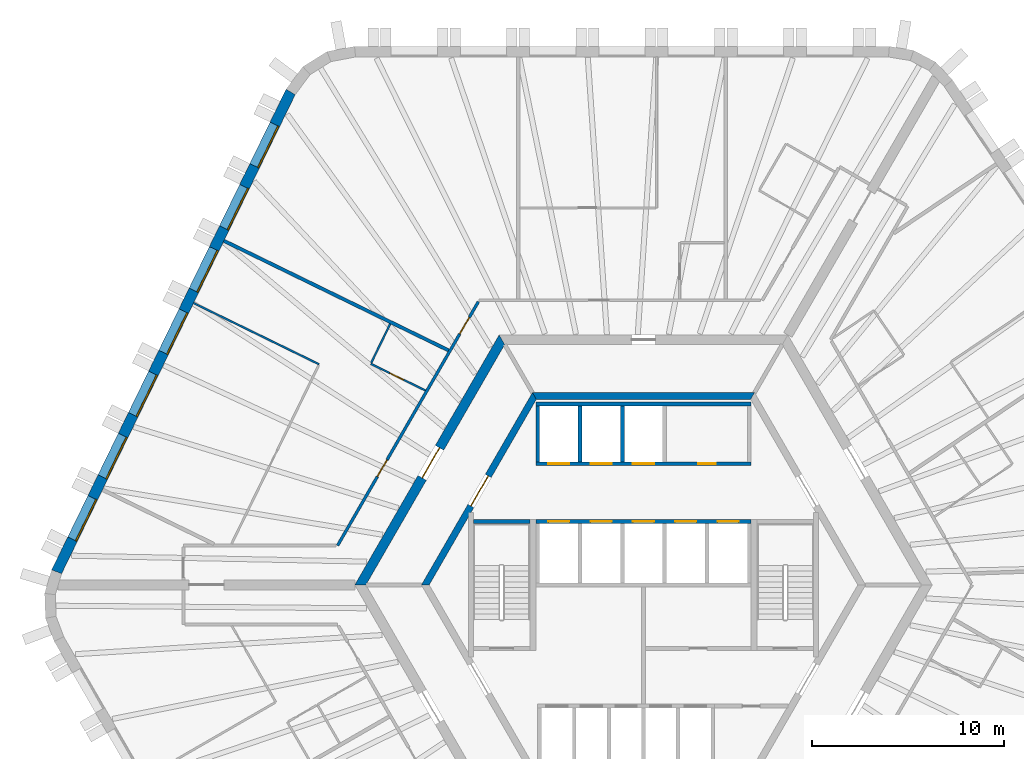
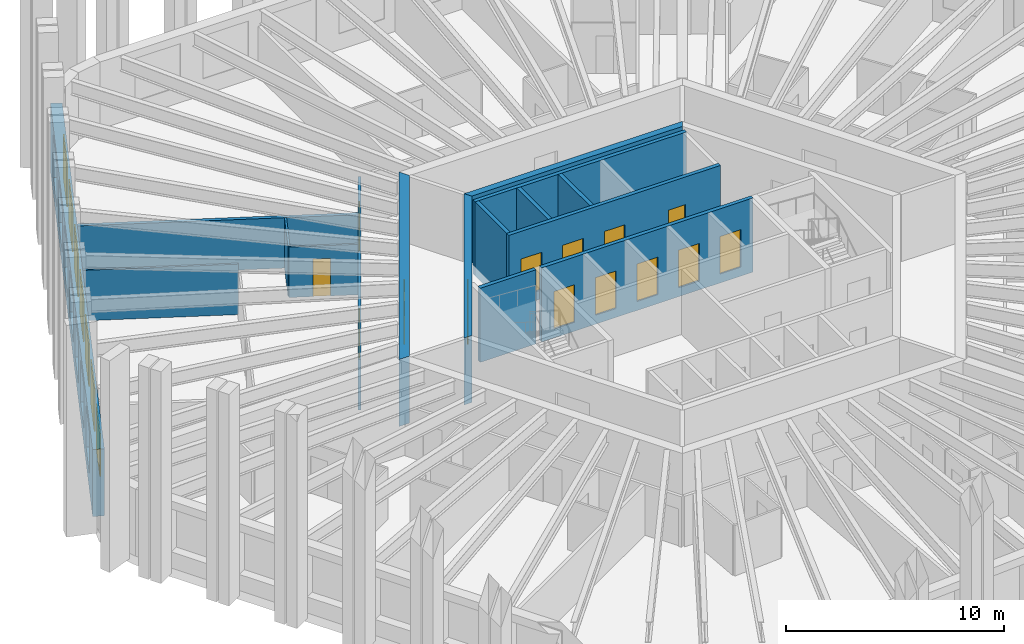
# One storey, part 7 of 10: 16 walls, 14 doors, 7 windows, 21 openings.
"""IFC4 building model written with IfcOpenShell, lengths in metres."""

from ifc_helpers import new_model, si_unit, direction, frame, frame_2d, origin, place, context, subcontext, project, spatial, polyline, rectangle, outline, extrude, material, layer, layer_set, type_object, element, fill, save


model = new_model("IFC4")

# Units and contexts
model_context = context("Model", 3, precision=1e-05, world=origin(), true_north=direction((0.0, 1.0)))
body_context = subcontext(model_context, "Body", "Model", "MODEL_VIEW")
ifc_project = project(units=[si_unit("LENGTHUNIT", "METRE"), si_unit("AREAUNIT", "SQUARE_METRE"), si_unit("VOLUMEUNIT", "CUBIC_METRE"), si_unit("PLANEANGLEUNIT", "RADIAN"), si_unit("MASSUNIT", "GRAM", prefix="KILO")], contexts=[model_context])

# Site, building, storey
site_placement = place(None, origin())
site = spatial("IfcSite", under=ifc_project, at=site_placement, CompositionType="ELEMENT")
building_placement = place(site_placement, origin())
building = spatial("IfcBuilding", under=site, at=building_placement, Name="Tarnside Tower", CompositionType="ELEMENT")
storey_placement = place(building_placement, frame((0.0, 0.0, 152.699951171875)))
storey = spatial("IfcBuildingStorey", under=building, at=storey_placement, Name="L35", CompositionType="ELEMENT", Elevation=152.699951171875)

# Wall, opening, door
ifc_material_1 = material(Name="Gypsum board partition on steel studs", Category="steel")
ifc_layer_1 = layer(ifc_material_1, 0.10009765625)
ifc_layer_set_1 = layer_set([ifc_layer_1], Name="Bathroom wall 100")
wall_type_1 = type_object("IfcWallType", Name="Bathroom wall 100", PredefinedType="PARTITIONING", material=ifc_layer_set_1)
wall_1_placement = place(storey_placement, frame((-11.338134765625, 10.111572265625, 0.0), z_axis=(0.0, 0.0, 1.0), x_axis=(-0.898781792608, 0.438396269688, 0.0)))
wall_1 = element("IfcWall", 1, at=wall_1_placement, inside=storey, type_object=wall_type_1, Name="Bathroom wall 11061", PredefinedType="PARTITIONING", context=body_context, shape_type="SweptSolid", body=[
    extrude(rectangle(XDim=3.164306640625, YDim=0.10009765625, at=frame_2d((1.58203125, 0.0))), origin(), (0.0, 0.0, 1.0), 2.823486328125),
])
opening_1_placement = place(wall_1_placement, frame((1.26416015625, 0.0, 0.0)))
opening_1 = element("IfcOpeningElement", 2, at=opening_1_placement, cuts=wall_1, Name="Opening D-B1", PredefinedType="OPENING", context=body_context, shape_type="SweptSolid", body=[
    extrude(rectangle(XDim=0.800048828125, YDim=2.10009765625, at=frame_2d((0.39990234375, 1.050048828125))), frame((0.0, 0.06005859375, 0.0), z_axis=(0.0, -1.0, 0.0), x_axis=(1.0, 0.0, 0.0)), (0.0, 0.0, 1.0), 0.1201171875),
])
ifc_material_2 = material(Name="Timber door leaf", Category="wood")
door_type_1 = type_object("IfcDoorType", Name="Bathroom door 800", OperationType="NOTDEFINED", PredefinedType="DOOR", material=ifc_material_2)
door_1_placement = place(opening_1_placement, origin())
door_1 = element("IfcDoor", 3, at=door_1_placement, inside=storey, type_object=door_type_1, Name="Bathroom door 11008", OperationType="SINGLE_SWING_LEFT", OverallHeight=2.10009765625, OverallWidth=0.800048828125, PredefinedType="DOOR", context=body_context, shape_type="SweptSolid", body=[
    extrude(rectangle(XDim=0.800048828125, YDim=2.10009765625, at=frame_2d((0.39990234375, 1.050048828125))), frame((0.0, 0.02490234375, 0.0), z_axis=(0.0, -1.0, 0.0), x_axis=(1.0, 0.0, 0.0)), (0.0, 0.0, 1.0), 0.050048828125),
])
fill(opening_1, door_1)

# Wall
wall_2_placement = place(storey_placement, frame((-14.160400390625, 11.543701171875, 0.0), z_axis=(0.0, 0.0, 1.0), x_axis=(0.438376807268, 0.898791285477, 0.0)))
element("IfcWall", 4, at=wall_2_placement, inside=storey, type_object=wall_type_1, Name="Bathroom wall 11062", PredefinedType="PARTITIONING", context=body_context, shape_type="SweptSolid", body=[
    extrude(rectangle(XDim=2.260009765625, YDim=0.10009765625, at=frame_2d((1.1298828125, 0.0))), origin(), (0.0, 0.0, 1.0), 2.823486328125),
])

# Wall, opening, door
ifc_material_3 = material(Name="Concrete C50/60", Category="concrete")
ifc_layer_2 = layer(ifc_material_3, 0.35009765625)
ifc_layer_set_2 = layer_set([ifc_layer_2], Name="Core block wall 350 C50/60")
wall_type_2 = type_object("IfcWallType", Name="Core block wall 350 C50/60", PredefinedType="SHEAR", material=ifc_layer_set_2)
wall_3_placement = place(storey_placement, frame((-5.672607421875, 9.824951171875, 0.0), z_axis=(0.0, 0.0, 1.0), x_axis=(-0.499995046907, -0.866028263435, 0.0)))
wall_3 = element("IfcWall", 5, at=wall_3_placement, inside=storey, type_object=wall_type_2, Name="L35 core block wall face 2", PredefinedType="SHEAR", context=body_context, shape_type="SweptSolid", body=[
    extrude(outline(polyline([(-0.10107421875, -0.175048828125), (11.44580078125, -0.175048828125), (11.24365234375, 0.175048828125), (0.10107421875, 0.175048828125), (-0.10107421875, -0.175048828125)])), origin(), (0.0, 0.0, 1.0), 3.75),
])
opening_2_placement = place(wall_3_placement, frame((4.80126953125, 0.0, 0.0)))
opening_2 = element("IfcOpeningElement", 6, at=opening_2_placement, cuts=wall_3, Name="Opening CD-LOB", PredefinedType="OPENING", context=body_context, shape_type="SweptSolid", body=[
    extrude(rectangle(XDim=1.800048828125, YDim=2.39990234375, at=frame_2d((0.89990234375, 1.199951171875))), frame((0.0, 0.18505859375, 0.0), z_axis=(0.0, -1.0, 0.0), x_axis=(1.0, 0.0, 0.0)), (0.0, 0.0, 1.0), 0.3701171875),
])
ifc_material_4 = material(Name="Steel fire door", Category="steel")
door_type_2 = type_object("IfcDoorType", Name="Lobby double door FD30S 1800x2400", OperationType="NOTDEFINED", PredefinedType="DOOR", material=ifc_material_4)
door_2_placement = place(opening_2_placement, origin())
door_2 = element("IfcDoor", 7, at=door_2_placement, inside=storey, type_object=door_type_2, Name="L35 lobby block door P1", OperationType="DOUBLE_DOOR_SINGLE_SWING", OverallHeight=2.39990234375, OverallWidth=1.800048828125, PredefinedType="DOOR", context=body_context, shape_type="SweptSolid", body=[
    extrude(rectangle(XDim=1.800048828125, YDim=2.39990234375, at=frame_2d((0.89990234375, 1.199951171875))), frame((0.0, 0.02490234375, 0.0), z_axis=(0.0, -1.0, 0.0), x_axis=(1.0, 0.0, 0.0)), (0.0, 0.0, 1.0), 0.050048828125),
])
fill(opening_2, door_2)

# Wall
wall_4_placement = place(storey_placement, frame((5.672607421875, 9.824951171875, 0.0), z_axis=(0.0, 0.0, 1.0), x_axis=(-1.0, 0.0, 0.0)))
element("IfcWall", 8, at=wall_4_placement, inside=storey, type_object=wall_type_2, Name="L35 core block wall face 1", PredefinedType="SHEAR", context=body_context, shape_type="SweptSolid", body=[
    extrude(outline(polyline([(-0.10107421875, -0.175048828125), (11.4462890625, -0.175048828125), (11.244140625, 0.175048828125), (0.10107421875, 0.175048828125), (-0.10107421875, -0.175048828125)])), origin(), (0.0, 0.0, 1.0), 3.75),
])

# Wall, opening, door
ifc_material_5 = material(Name="Concrete C70/85", Category="concrete")
ifc_layer_3 = layer(ifc_material_5, 0.5)
ifc_layer_set_3 = layer_set([ifc_layer_3], Name="Core wall Z2 500 C70/85")
wall_type_3 = type_object("IfcWallType", Name="Core wall Z2 500 C70/85", PredefinedType="SHEAR", material=ifc_layer_set_3)
wall_5_placement = place(storey_placement, frame((-7.361083984375, 12.75, 0.0), z_axis=(0.0, 0.0, 1.0), x_axis=(-0.50000571537, -0.866022103989, 0.0)))
wall_5 = element("IfcWall", 9, at=wall_5_placement, inside=storey, type_object=wall_type_3, Name="L35 core wall face 2", PredefinedType="SHEAR", context=body_context, shape_type="SweptSolid", body=[
    extrude(outline(polyline([(-0.144287109375, -0.25), (14.86669921875, -0.25), (14.578125, 0.25), (0.144287109375, 0.25), (-0.144287109375, -0.25)])), origin(), (0.0, 0.0, 1.0), 3.75),
])
opening_3_placement = place(wall_5_placement, frame((6.489990234375, 0.0, 0.0)))
opening_3 = element("IfcOpeningElement", 10, at=opening_3_placement, cuts=wall_5, Name="Opening CD-LOB", PredefinedType="OPENING", context=body_context, shape_type="SweptSolid", body=[
    extrude(rectangle(XDim=1.800048828125, YDim=2.39990234375, at=frame_2d((0.89990234375, 1.199951171875))), frame((0.0, 0.260009765625, 0.0), z_axis=(0.0, -1.0, 0.0), x_axis=(1.0, 0.0, 0.0)), (0.0, 0.0, 1.0), 0.52001953125),
])
door_3_placement = place(opening_3_placement, origin())
door_3 = element("IfcDoor", 11, at=door_3_placement, inside=storey, type_object=door_type_2, Name="L35 core door P1", OperationType="DOUBLE_DOOR_SINGLE_SWING", OverallHeight=2.39990234375, OverallWidth=1.800048828125, PredefinedType="DOOR", context=body_context, shape_type="SweptSolid", body=[
    extrude(rectangle(XDim=1.800048828125, YDim=2.39990234375, at=frame_2d((0.89990234375, 1.199951171875))), frame((0.0, 0.02490234375, 0.0), z_axis=(0.0, -1.0, 0.0), x_axis=(1.0, 0.0, 0.0)), (0.0, 0.0, 1.0), 0.050048828125),
])
fill(opening_3, door_3)

# Wall, openings, doors
ifc_layer_4 = layer(ifc_material_1, 0.14990234375)
ifc_layer_set_4 = layer_set([ifc_layer_4], Name="Corridor wall 150 EI 60")
wall_type_4 = type_object("IfcWallType", Name="Corridor wall 150 EI 60", PredefinedType="PARTITIONING", material=ifc_layer_set_4)
wall_6_placement = place(storey_placement, frame((-8.588134765625, 14.72509765625, 0.0), z_axis=(0.0, 0.0, 1.0), x_axis=(-0.499996322767, -0.866027526826, 0.0)))
wall_6 = element("IfcWall", 12, at=wall_6_placement, inside=storey, type_object=wall_type_4, Name="Corridor wall 11009", PredefinedType="PARTITIONING", context=body_context, shape_type="SweptSolid", body=[
    extrude(rectangle(XDim=14.6357421875, YDim=0.14990234375, at=frame_2d((7.31787109375, 0.0))), origin(), (0.0, 0.0, 1.0), 2.823486328125),
])
opening_4_placement = place(wall_6_placement, frame((0.936279296875, 0.0, 0.0)))
opening_4 = element("IfcOpeningElement", 13, at=opening_4_placement, cuts=wall_6, Name="Opening D-E1", PredefinedType="OPENING", context=body_context, shape_type="SweptSolid", body=[
    extrude(rectangle(XDim=1.0, YDim=2.10009765625, at=frame_2d((0.5, 1.050048828125))), frame((0.0, 0.0849609375, 0.0), z_axis=(0.0, -1.0, 0.0), x_axis=(1.0, 0.0, 0.0)), (0.0, 0.0, 1.0), 0.169921875),
])
opening_5_placement = place(wall_6_placement, frame((9.49462890625, 0.0, 0.0)))
opening_5 = element("IfcOpeningElement", 14, at=opening_5_placement, cuts=wall_6, Name="Opening D-E1", PredefinedType="OPENING", context=body_context, shape_type="SweptSolid", body=[
    extrude(rectangle(XDim=1.0, YDim=2.10009765625, at=frame_2d((0.5, 1.050048828125))), frame((0.0, 0.0849609375, 0.0), z_axis=(0.0, -1.0, 0.0), x_axis=(1.0, 0.0, 0.0)), (0.0, 0.0, 1.0), 0.169921875),
])
door_type_3 = type_object("IfcDoorType", Name="Unit entrance door 1000 FD30S", OperationType="NOTDEFINED", PredefinedType="DOOR", material=ifc_material_2)
door_4_placement = place(opening_4_placement, origin())
door_4 = element("IfcDoor", 15, at=door_4_placement, inside=storey, type_object=door_type_3, Name="Unit door 11006", OperationType="SINGLE_SWING_RIGHT", OverallHeight=2.10009765625, OverallWidth=1.0, PredefinedType="DOOR", context=body_context, shape_type="SweptSolid", body=[
    extrude(rectangle(XDim=1.0, YDim=2.10009765625, at=frame_2d((0.5, 1.050048828125))), frame((0.0, 0.02490234375, 0.0), z_axis=(0.0, -1.0, 0.0), x_axis=(1.0, 0.0, 0.0)), (0.0, 0.0, 1.0), 0.050048828125),
])
fill(opening_4, door_4)
door_5_placement = place(opening_5_placement, origin())
door_5 = element("IfcDoor", 16, at=door_5_placement, inside=storey, type_object=door_type_3, Name="Unit door 11007", OperationType="SINGLE_SWING_RIGHT", OverallHeight=2.10009765625, OverallWidth=1.0, PredefinedType="DOOR", context=body_context, shape_type="SweptSolid", body=[
    extrude(rectangle(XDim=1.0, YDim=2.10009765625, at=frame_2d((0.5, 1.050048828125))), frame((0.0, 0.02490234375, 0.0), z_axis=(0.0, -1.0, 0.0), x_axis=(1.0, 0.0, 0.0)), (0.0, 0.0, 1.0), 0.050048828125),
])
fill(opening_5, door_5)

# Wall
ifc_layer_5 = layer(ifc_material_1, 0.179931640625)
ifc_layer_set_5 = layer_set([ifc_layer_5], Name="Demising wall 180 EI 60")
wall_type_5 = type_object("IfcWallType", Name="Demising wall 180 EI 60", PredefinedType="PARTITIONING", material=ifc_layer_set_5)
wall_7_placement = place(storey_placement, frame((-21.814697265625, 17.8916015625, 0.0), z_axis=(0.0, 0.0, 1.0), x_axis=(0.898798778742, -0.43836144371, 0.0)))
element("IfcWall", 17, at=wall_7_placement, inside=storey, type_object=wall_type_5, Name="Demising wall 11059", PredefinedType="PARTITIONING", context=body_context, shape_type="SweptSolid", body=[
    extrude(rectangle(XDim=12.994384765625, YDim=0.179931640625, at=frame_2d((6.4970703125, 0.0))), origin(), (0.0, 0.0, 1.0), 2.823486328125),
])

# Wall, openings, doors
ifc_material_6 = material(Name="Concrete C40/50", Category="concrete")
ifc_layer_6 = layer(ifc_material_6, 0.199951171875)
ifc_layer_set_6 = layer_set([ifc_layer_6], Name="Lift shaft wall 200 C40/50")
wall_type_6 = type_object("IfcWallType", Name="Lift shaft wall 200 C40/50", PredefinedType="SHEAR", material=ifc_layer_set_6)
wall_8_placement = place(storey_placement, frame((-5.60009765625, 6.300048828125, -0.5), z_axis=(0.0, 0.0, 1.0), x_axis=(1.0, 0.0, 0.0)))
wall_8 = element("IfcWall", 18, at=wall_8_placement, inside=storey, type_object=wall_type_6, Name="L35 lift shaft front wall R1", PredefinedType="SHEAR", context=body_context, shape_type="SweptSolid", body=[
    extrude(rectangle(XDim=11.2001953125, YDim=0.199951171875, at=frame_2d((5.60009765625, 0.0))), origin(), (0.0, 0.0, 1.0), 4.150146484375),
])
opening_6_placement = place(wall_8_placement, frame((8.449951171875, 0.0, 0.5)))
opening_6 = element("IfcOpeningElement", 19, at=opening_6_placement, cuts=wall_8, Name="Opening CD-room", PredefinedType="OPENING", context=body_context, shape_type="SweptSolid", body=[
    extrude(rectangle(XDim=0.89990234375, YDim=2.10009765625, at=frame_2d((0.449951171875, 1.050048828125))), frame((0.0, 0.10986328125, 0.0), z_axis=(0.0, -1.0, 0.0), x_axis=(1.0, 0.0, 0.0)), (0.0, 0.0, 1.0), 0.219970703125),
])
opening_7_placement = place(wall_8_placement, frame((0.64990234375, 0.0, 0.5)))
opening_7 = element("IfcOpeningElement", 20, at=opening_7_placement, cuts=wall_8, Name="Opening LD", PredefinedType="OPENING", context=body_context, shape_type="SweptSolid", body=[
    extrude(rectangle(XDim=1.10009765625, YDim=2.10009765625, at=frame_2d((0.550048828125, 1.050048828125))), frame((0.0, 0.10986328125, 0.0), z_axis=(0.0, -1.0, 0.0), x_axis=(1.0, 0.0, 0.0)), (0.0, 0.0, 1.0), 0.219970703125),
])
opening_8_placement = place(wall_8_placement, frame((2.85009765625, 0.0, 0.5)))
opening_8 = element("IfcOpeningElement", 21, at=opening_8_placement, cuts=wall_8, Name="Opening LD", PredefinedType="OPENING", context=body_context, shape_type="SweptSolid", body=[
    extrude(rectangle(XDim=1.10009765625, YDim=2.10009765625, at=frame_2d((0.550048828125, 1.050048828125))), frame((0.0, 0.10986328125, 0.0), z_axis=(0.0, -1.0, 0.0), x_axis=(1.0, 0.0, 0.0)), (0.0, 0.0, 1.0), 0.219970703125),
])
opening_9_placement = place(wall_8_placement, frame((5.050048828125, 0.0, 0.5)))
opening_9 = element("IfcOpeningElement", 22, at=opening_9_placement, cuts=wall_8, Name="Opening LD", PredefinedType="OPENING", context=body_context, shape_type="SweptSolid", body=[
    extrude(rectangle(XDim=1.10009765625, YDim=2.10009765625, at=frame_2d((0.550048828125, 1.050048828125))), frame((0.0, 0.10986328125, 0.0), z_axis=(0.0, -1.0, 0.0), x_axis=(1.0, 0.0, 0.0)), (0.0, 0.0, 1.0), 0.219970703125),
])
ifc_material_7 = material(Name="Stainless steel", Category="steel")
door_type_4 = type_object("IfcDoorType", Name="Lift landing door 1100x2100", OperationType="NOTDEFINED", PredefinedType="DOOR", material=ifc_material_7)
door_6_placement = place(opening_7_placement, origin())
door_6 = element("IfcDoor", 23, at=door_6_placement, inside=storey, type_object=door_type_4, Name="Mid-rise lift 1 landing door L35", OperationType="SLIDING_TO_LEFT", OverallHeight=2.10009765625, OverallWidth=1.10009765625, PredefinedType="DOOR", context=body_context, shape_type="SweptSolid", body=[
    extrude(rectangle(XDim=1.10009765625, YDim=2.10009765625, at=frame_2d((0.550048828125, 1.050048828125))), frame((0.0, 0.02490234375, 0.0), z_axis=(0.0, -1.0, 0.0), x_axis=(1.0, 0.0, 0.0)), (0.0, 0.0, 1.0), 0.050048828125),
])
fill(opening_7, door_6)
door_7_placement = place(opening_8_placement, origin())
door_7 = element("IfcDoor", 24, at=door_7_placement, inside=storey, type_object=door_type_4, Name="Mid-rise lift 2 landing door L35", OperationType="SLIDING_TO_LEFT", OverallHeight=2.10009765625, OverallWidth=1.10009765625, PredefinedType="DOOR", context=body_context, shape_type="SweptSolid", body=[
    extrude(rectangle(XDim=1.10009765625, YDim=2.10009765625, at=frame_2d((0.550048828125, 1.050048828125))), frame((0.0, 0.02490234375, 0.0), z_axis=(0.0, -1.0, 0.0), x_axis=(1.0, 0.0, 0.0)), (0.0, 0.0, 1.0), 0.050048828125),
])
fill(opening_8, door_7)
door_8_placement = place(opening_9_placement, origin())
door_8 = element("IfcDoor", 25, at=door_8_placement, inside=storey, type_object=door_type_4, Name="Mid-rise lift 3 landing door L35", OperationType="SLIDING_TO_LEFT", OverallHeight=2.10009765625, OverallWidth=1.10009765625, PredefinedType="DOOR", context=body_context, shape_type="SweptSolid", body=[
    extrude(rectangle(XDim=1.10009765625, YDim=2.10009765625, at=frame_2d((0.550048828125, 1.050048828125))), frame((0.0, 0.02490234375, 0.0), z_axis=(0.0, -1.0, 0.0), x_axis=(1.0, 0.0, 0.0)), (0.0, 0.0, 1.0), 0.050048828125),
])
fill(opening_9, door_8)
door_type_5 = type_object("IfcDoorType", Name="Room door FD60 900x2100", OperationType="NOTDEFINED", PredefinedType="DOOR", material=ifc_material_4)
door_9_placement = place(opening_6_placement, origin())
door_9 = element("IfcDoor", 26, at=door_9_placement, inside=storey, type_object=door_type_5, Name="L35 core room door FC1", OperationType="SINGLE_SWING_LEFT", OverallHeight=2.10009765625, OverallWidth=0.89990234375, PredefinedType="DOOR", context=body_context, shape_type="SweptSolid", body=[
    extrude(rectangle(XDim=0.89990234375, YDim=2.10009765625, at=frame_2d((0.449951171875, 1.050048828125))), frame((0.0, 0.02490234375, 0.0), z_axis=(0.0, -1.0, 0.0), x_axis=(1.0, 0.0, 0.0)), (0.0, 0.0, 1.0), 0.050048828125),
])
fill(opening_6, door_9)

# Walls
wall_9_placement = place(storey_placement, frame((-5.60009765625, 9.39990234375, -0.5), z_axis=(0.0, 0.0, 1.0), x_axis=(1.0, 0.0, 0.0)))
element("IfcWall", 27, at=wall_9_placement, inside=storey, type_object=wall_type_6, Name="L35 lift shaft back wall R1", PredefinedType="SHEAR", context=body_context, shape_type="SweptSolid", body=[
    extrude(rectangle(XDim=11.2001953125, YDim=0.199951171875, at=frame_2d((5.60009765625, 0.0))), origin(), (0.0, 0.0, 1.0), 4.150146484375),
])
for number, where, z_axis, x_axis, name in (
    (28, (-5.5, 6.39990234375, -0.5), (0.0, 0.0, 1.0), (0.0, 1.0, 0.0), "L35 lift shaft partition R11"),
    (29, (-3.300048828125, 6.39990234375, -0.5), (0.0, 0.0, 1.0), (0.0, 1.0, 0.0), "L35 lift shaft partition R12"),
    (30, (-1.10009765625, 6.39990234375, -0.5), (0.0, 0.0, 1.0), (0.0, 1.0, 0.0), "L35 lift shaft partition R13"),
):
    element("IfcWall", number, at=place(storey_placement, frame(where, z_axis=z_axis, x_axis=x_axis)), inside=storey, type_object=wall_type_6, Name=name, PredefinedType="SHEAR", context=body_context, shape_type="SweptSolid", body=[
        extrude(rectangle(XDim=2.900146484375, YDim=0.199951171875, at=frame_2d((1.4501953125, 0.0))), origin(), (0.0, 0.0, 1.0), 4.150146484375),
    ])

# Wall, openings, doors
wall_10_placement = place(storey_placement, frame((-5.60009765625, 3.300048828125, -0.5), z_axis=(0.0, 0.0, 1.0), x_axis=(1.0, 0.0, 0.0)))
wall_10 = element("IfcWall", 31, at=wall_10_placement, inside=storey, type_object=wall_type_6, Name="L35 lift shaft front wall R2", PredefinedType="SHEAR", context=body_context, shape_type="SweptSolid", body=[
    extrude(rectangle(XDim=11.2001953125, YDim=0.199951171875, at=frame_2d((5.60009765625, 0.0))), origin(), (0.0, 0.0, 1.0), 4.150146484375),
])
opening_10_placement = place(wall_10_placement, frame((0.64990234375, 0.0, 0.5)))
opening_10 = element("IfcOpeningElement", 32, at=opening_10_placement, cuts=wall_10, Name="Opening LD", PredefinedType="OPENING", context=body_context, shape_type="SweptSolid", body=[
    extrude(rectangle(XDim=1.10009765625, YDim=2.10009765625, at=frame_2d((0.550048828125, 1.050048828125))), frame((0.0, 0.10986328125, 0.0), z_axis=(0.0, -1.0, 0.0), x_axis=(1.0, 0.0, 0.0)), (0.0, 0.0, 1.0), 0.219970703125),
])
opening_11_placement = place(wall_10_placement, frame((2.85009765625, 0.0, 0.5)))
opening_11 = element("IfcOpeningElement", 33, at=opening_11_placement, cuts=wall_10, Name="Opening LD", PredefinedType="OPENING", context=body_context, shape_type="SweptSolid", body=[
    extrude(rectangle(XDim=1.10009765625, YDim=2.10009765625, at=frame_2d((0.550048828125, 1.050048828125))), frame((0.0, 0.10986328125, 0.0), z_axis=(0.0, -1.0, 0.0), x_axis=(1.0, 0.0, 0.0)), (0.0, 0.0, 1.0), 0.219970703125),
])
opening_12_placement = place(wall_10_placement, frame((5.050048828125, 0.0, 0.5)))
opening_12 = element("IfcOpeningElement", 34, at=opening_12_placement, cuts=wall_10, Name="Opening LD", PredefinedType="OPENING", context=body_context, shape_type="SweptSolid", body=[
    extrude(rectangle(XDim=1.10009765625, YDim=2.10009765625, at=frame_2d((0.550048828125, 1.050048828125))), frame((0.0, 0.10986328125, 0.0), z_axis=(0.0, -1.0, 0.0), x_axis=(1.0, 0.0, 0.0)), (0.0, 0.0, 1.0), 0.219970703125),
])
opening_13_placement = place(wall_10_placement, frame((7.25, 0.0, 0.5)))
opening_13 = element("IfcOpeningElement", 35, at=opening_13_placement, cuts=wall_10, Name="Opening LD", PredefinedType="OPENING", context=body_context, shape_type="SweptSolid", body=[
    extrude(rectangle(XDim=1.10009765625, YDim=2.10009765625, at=frame_2d((0.550048828125, 1.050048828125))), frame((0.0, 0.10986328125, 0.0), z_axis=(0.0, -1.0, 0.0), x_axis=(1.0, 0.0, 0.0)), (0.0, 0.0, 1.0), 0.219970703125),
])
opening_14_placement = place(wall_10_placement, frame((9.449951171875, 0.0, 0.5)))
opening_14 = element("IfcOpeningElement", 36, at=opening_14_placement, cuts=wall_10, Name="Opening LD", PredefinedType="OPENING", context=body_context, shape_type="SweptSolid", body=[
    extrude(rectangle(XDim=1.10009765625, YDim=2.10009765625, at=frame_2d((0.550048828125, 1.050048828125))), frame((0.0, 0.10986328125, 0.0), z_axis=(0.0, -1.0, 0.0), x_axis=(1.0, 0.0, 0.0)), (0.0, 0.0, 1.0), 0.219970703125),
])
door_10_placement = place(opening_10_placement, origin())
door_10 = element("IfcDoor", 37, at=door_10_placement, inside=storey, type_object=door_type_4, Name="Mid-rise lift 4 landing door L35", OperationType="SLIDING_TO_LEFT", OverallHeight=2.10009765625, OverallWidth=1.10009765625, PredefinedType="DOOR", context=body_context, shape_type="SweptSolid", body=[
    extrude(rectangle(XDim=1.10009765625, YDim=2.10009765625, at=frame_2d((0.550048828125, 1.050048828125))), frame((0.0, 0.02490234375, 0.0), z_axis=(0.0, -1.0, 0.0), x_axis=(1.0, 0.0, 0.0)), (0.0, 0.0, 1.0), 0.050048828125),
])
fill(opening_10, door_10)
door_11_placement = place(opening_11_placement, origin())
door_11 = element("IfcDoor", 38, at=door_11_placement, inside=storey, type_object=door_type_4, Name="Mid-rise lift 5 landing door L35", OperationType="SLIDING_TO_LEFT", OverallHeight=2.10009765625, OverallWidth=1.10009765625, PredefinedType="DOOR", context=body_context, shape_type="SweptSolid", body=[
    extrude(rectangle(XDim=1.10009765625, YDim=2.10009765625, at=frame_2d((0.550048828125, 1.050048828125))), frame((0.0, 0.02490234375, 0.0), z_axis=(0.0, -1.0, 0.0), x_axis=(1.0, 0.0, 0.0)), (0.0, 0.0, 1.0), 0.050048828125),
])
fill(opening_11, door_11)
door_12_placement = place(opening_12_placement, origin())
door_12 = element("IfcDoor", 39, at=door_12_placement, inside=storey, type_object=door_type_4, Name="Mid-rise lift 6 landing door L35", OperationType="SLIDING_TO_LEFT", OverallHeight=2.10009765625, OverallWidth=1.10009765625, PredefinedType="DOOR", context=body_context, shape_type="SweptSolid", body=[
    extrude(rectangle(XDim=1.10009765625, YDim=2.10009765625, at=frame_2d((0.550048828125, 1.050048828125))), frame((0.0, 0.02490234375, 0.0), z_axis=(0.0, -1.0, 0.0), x_axis=(1.0, 0.0, 0.0)), (0.0, 0.0, 1.0), 0.050048828125),
])
fill(opening_12, door_12)
door_13_placement = place(opening_13_placement, origin())
door_13 = element("IfcDoor", 40, at=door_13_placement, inside=storey, type_object=door_type_4, Name="High sky-lobby shuttle 1 landing door L35", OperationType="SLIDING_TO_LEFT", OverallHeight=2.10009765625, OverallWidth=1.10009765625, PredefinedType="DOOR", context=body_context, shape_type="SweptSolid", body=[
    extrude(rectangle(XDim=1.10009765625, YDim=2.10009765625, at=frame_2d((0.550048828125, 1.050048828125))), frame((0.0, 0.02490234375, 0.0), z_axis=(0.0, -1.0, 0.0), x_axis=(1.0, 0.0, 0.0)), (0.0, 0.0, 1.0), 0.050048828125),
])
fill(opening_13, door_13)
door_14_placement = place(opening_14_placement, origin())
door_14 = element("IfcDoor", 41, at=door_14_placement, inside=storey, type_object=door_type_4, Name="Express sky-lobby shuttle 2 landing door L35", OperationType="SLIDING_TO_LEFT", OverallHeight=2.10009765625, OverallWidth=1.10009765625, PredefinedType="DOOR", context=body_context, shape_type="SweptSolid", body=[
    extrude(rectangle(XDim=1.10009765625, YDim=2.10009765625, at=frame_2d((0.550048828125, 1.050048828125))), frame((0.0, 0.02490234375, 0.0), z_axis=(0.0, -1.0, 0.0), x_axis=(1.0, 0.0, 0.0)), (0.0, 0.0, 1.0), 0.050048828125),
])
fill(opening_14, door_14)

# Walls
wall_11_placement = place(storey_placement, frame((-8.85009765625, 3.300048828125, -0.5), z_axis=(0.0, 0.0, 1.0), x_axis=(1.0, 0.0, 0.0)))
element("IfcWall", 42, at=wall_11_placement, inside=storey, type_object=wall_type_6, Name="L35 stair 2 enclosure cap wall n", PredefinedType="SHEAR", context=body_context, shape_type="SweptSolid", body=[
    extrude(rectangle(XDim=2.9501953125, YDim=0.199951171875, at=frame_2d((1.47509765625, 0.0))), origin(), (0.0, 0.0, 1.0), 4.150146484375),
])
ifc_layer_7 = layer(ifc_material_1, 0.10009765625)
ifc_layer_set_7 = layer_set([ifc_layer_7], Name="Partition 100")
wall_type_7 = type_object("IfcWallType", Name="Partition 100", PredefinedType="PARTITIONING", material=ifc_layer_set_7)
wall_12_placement = place(storey_placement, frame((-23.392822265625, 14.656005859375, 0.0), z_axis=(0.0, 0.0, 1.0), x_axis=(0.898794291179, -0.43837064471, 0.0)))
element("IfcWall", 43, at=wall_12_placement, inside=storey, type_object=wall_type_7, Name="Partition wall 11063", PredefinedType="PARTITIONING", context=body_context, shape_type="SweptSolid", body=[
    extrude(rectangle(XDim=7.262451171875, YDim=0.10009765625, at=frame_2d((3.63134765625, 0.0))), origin(), (0.0, 0.0, 1.0), 2.823486328125),
])

# Wall, openings, windows
ifc_material_8 = material(Name="Facing brick", Category="masonry")
ifc_layer_8 = layer(ifc_material_8, 0.10205078125)
ifc_material_9 = material(Name="Concrete C60/75 precast", Category="concrete")
ifc_layer_9 = layer(ifc_material_9, 0.347900390625)
ifc_material_10 = material(Name="Mineral wool insulation")
ifc_layer_10 = layer(ifc_material_10, 0.10009765625)
ifc_layer_set_8 = layer_set([ifc_layer_8, ifc_layer_9, ifc_layer_10], Name="Tube wall 550 brick faced")
wall_type_8 = type_object("IfcWallType", Name="Tube wall 550 brick faced", PredefinedType="SOLIDWALL", material=ifc_layer_set_8)
wall_13_placement = place(storey_placement, frame((-18.344970703125, 25.6328125, 0.0), z_axis=(0.0, 0.0, 1.0), x_axis=(-0.43837181828, -0.898793718791, 0.0)))
wall_13 = element("IfcWall", 44, at=wall_13_placement, inside=storey, type_object=wall_type_8, Name="Tube wall L35 F2 flush 04", PredefinedType="SOLIDWALL", context=body_context, shape_type="SweptSolid", body=[
    extrude(outline(polyline([(-0.025634765625, -0.27490234375), (27.7802734375, -0.27490234375), (27.7353515625, 0.27490234375), (0.025634765625, 0.27490234375), (-0.025634765625, -0.27490234375)])), origin(), (0.0, 0.0, 1.0), 3.75),
])
opening_15_placement = place(wall_13_placement, frame((1.87890625, 0.0, 0.89990234375)))
opening_15 = element("IfcOpeningElement", 45, at=opening_15_placement, cuts=wall_13, Name="Opening WH", PredefinedType="OPENING", context=body_context, shape_type="SweptSolid", body=[
    extrude(rectangle(XDim=2.39990234375, YDim=2.39990234375, at=frame_2d((1.199951171875, 1.199951171875))), frame((0.0, 0.28515625, 0.0), z_axis=(0.0, -1.0, 0.0), x_axis=(1.0, 0.0, 0.0)), (0.0, 0.0, 1.0), 0.570068359375),
])
opening_16_placement = place(wall_13_placement, frame((5.47900390625, 0.0, 0.89990234375)))
opening_16 = element("IfcOpeningElement", 46, at=opening_16_placement, cuts=wall_13, Name="Opening WH", PredefinedType="OPENING", context=body_context, shape_type="SweptSolid", body=[
    extrude(rectangle(XDim=2.39990234375, YDim=2.39990234375, at=frame_2d((1.199951171875, 1.199951171875))), frame((0.0, 0.28515625, 0.0), z_axis=(0.0, -1.0, 0.0), x_axis=(1.0, 0.0, 0.0)), (0.0, 0.0, 1.0), 0.570068359375),
])
opening_17_placement = place(wall_13_placement, frame((9.078857421875, 0.0, 0.89990234375)))
opening_17 = element("IfcOpeningElement", 47, at=opening_17_placement, cuts=wall_13, Name="Opening WH", PredefinedType="OPENING", context=body_context, shape_type="SweptSolid", body=[
    extrude(rectangle(XDim=2.39990234375, YDim=2.39990234375, at=frame_2d((1.199951171875, 1.199951171875))), frame((0.0, 0.28515625, 0.0), z_axis=(0.0, -1.0, 0.0), x_axis=(1.0, 0.0, 0.0)), (0.0, 0.0, 1.0), 0.570068359375),
])
opening_18_placement = place(wall_13_placement, frame((12.678955078125, 0.0, 0.89990234375)))
opening_18 = element("IfcOpeningElement", 48, at=opening_18_placement, cuts=wall_13, Name="Opening WH", PredefinedType="OPENING", context=body_context, shape_type="SweptSolid", body=[
    extrude(rectangle(XDim=2.39990234375, YDim=2.39990234375, at=frame_2d((1.199951171875, 1.199951171875))), frame((0.0, 0.28515625, 0.0), z_axis=(0.0, -1.0, 0.0), x_axis=(1.0, 0.0, 0.0)), (0.0, 0.0, 1.0), 0.570068359375),
])
opening_19_placement = place(wall_13_placement, frame((16.27880859375, 0.0, 0.89990234375)))
opening_19 = element("IfcOpeningElement", 49, at=opening_19_placement, cuts=wall_13, Name="Opening WH", PredefinedType="OPENING", context=body_context, shape_type="SweptSolid", body=[
    extrude(rectangle(XDim=2.39990234375, YDim=2.39990234375, at=frame_2d((1.199951171875, 1.199951171875))), frame((0.0, 0.28515625, 0.0), z_axis=(0.0, -1.0, 0.0), x_axis=(1.0, 0.0, 0.0)), (0.0, 0.0, 1.0), 0.570068359375),
])
opening_20_placement = place(wall_13_placement, frame((19.87890625, 0.0, 0.89990234375)))
opening_20 = element("IfcOpeningElement", 50, at=opening_20_placement, cuts=wall_13, Name="Opening WH", PredefinedType="OPENING", context=body_context, shape_type="SweptSolid", body=[
    extrude(rectangle(XDim=2.39990234375, YDim=2.39990234375, at=frame_2d((1.199951171875, 1.199951171875))), frame((0.0, 0.28515625, 0.0), z_axis=(0.0, -1.0, 0.0), x_axis=(1.0, 0.0, 0.0)), (0.0, 0.0, 1.0), 0.570068359375),
])
opening_21_placement = place(wall_13_placement, frame((23.47900390625, 0.0, 0.89990234375)))
opening_21 = element("IfcOpeningElement", 51, at=opening_21_placement, cuts=wall_13, Name="Opening WH", PredefinedType="OPENING", context=body_context, shape_type="SweptSolid", body=[
    extrude(rectangle(XDim=2.39990234375, YDim=2.39990234375, at=frame_2d((1.199951171875, 1.199951171875))), frame((0.0, 0.28515625, 0.0), z_axis=(0.0, -1.0, 0.0), x_axis=(1.0, 0.0, 0.0)), (0.0, 0.0, 1.0), 0.570068359375),
])
ifc_material_11 = material(Name="Aluminium-framed double glazing", Category="aluminium")
window_type = type_object("IfcWindowType", Name="Hotel window 2400 x 2400", PartitioningType="DOUBLE_PANEL_VERTICAL", PredefinedType="WINDOW", material=ifc_material_11)
window_1_placement = place(opening_15_placement, frame((0.0, 0.205078125, 0.0)))
window_1 = element("IfcWindow", 52, at=window_1_placement, inside=storey, type_object=window_type, Name="E.WN.L35.F2.00", OverallHeight=2.39990234375, OverallWidth=2.39990234375, PartitioningType="DOUBLE_PANEL_VERTICAL", PredefinedType="WINDOW", context=body_context, shape_type="SweptSolid", body=[
    extrude(rectangle(XDim=2.39990234375, YDim=2.39990234375, at=frame_2d((1.199951171875, 1.199951171875))), frame((0.0, 0.030029296875, 0.0), z_axis=(0.0, -1.0, 0.0), x_axis=(1.0, 0.0, 0.0)), (0.0, 0.0, 1.0), 0.06005859375),
])
fill(opening_15, window_1)
window_2_placement = place(opening_16_placement, frame((0.0, 0.205078125, 0.0)))
window_2 = element("IfcWindow", 53, at=window_2_placement, inside=storey, type_object=window_type, Name="E.WN.L35.F2.01", OverallHeight=2.39990234375, OverallWidth=2.39990234375, PartitioningType="DOUBLE_PANEL_VERTICAL", PredefinedType="WINDOW", context=body_context, shape_type="SweptSolid", body=[
    extrude(rectangle(XDim=2.39990234375, YDim=2.39990234375, at=frame_2d((1.199951171875, 1.199951171875))), frame((0.0, 0.030029296875, 0.0), z_axis=(0.0, -1.0, 0.0), x_axis=(1.0, 0.0, 0.0)), (0.0, 0.0, 1.0), 0.06005859375),
])
fill(opening_16, window_2)
window_3_placement = place(opening_17_placement, frame((0.0, 0.205078125, 0.0)))
window_3 = element("IfcWindow", 54, at=window_3_placement, inside=storey, type_object=window_type, Name="E.WN.L35.F2.02", OverallHeight=2.39990234375, OverallWidth=2.39990234375, PartitioningType="DOUBLE_PANEL_VERTICAL", PredefinedType="WINDOW", context=body_context, shape_type="SweptSolid", body=[
    extrude(rectangle(XDim=2.39990234375, YDim=2.39990234375, at=frame_2d((1.199951171875, 1.199951171875))), frame((0.0, 0.030029296875, 0.0), z_axis=(0.0, -1.0, 0.0), x_axis=(1.0, 0.0, 0.0)), (0.0, 0.0, 1.0), 0.06005859375),
])
fill(opening_17, window_3)
window_4_placement = place(opening_18_placement, frame((0.0, 0.205078125, 0.0)))
window_4 = element("IfcWindow", 55, at=window_4_placement, inside=storey, type_object=window_type, Name="E.WN.L35.F2.03", OverallHeight=2.39990234375, OverallWidth=2.39990234375, PartitioningType="DOUBLE_PANEL_VERTICAL", PredefinedType="WINDOW", context=body_context, shape_type="SweptSolid", body=[
    extrude(rectangle(XDim=2.39990234375, YDim=2.39990234375, at=frame_2d((1.199951171875, 1.199951171875))), frame((0.0, 0.030029296875, 0.0), z_axis=(0.0, -1.0, 0.0), x_axis=(1.0, 0.0, 0.0)), (0.0, 0.0, 1.0), 0.06005859375),
])
fill(opening_18, window_4)
window_5_placement = place(opening_19_placement, frame((0.0, 0.205078125, 0.0)))
window_5 = element("IfcWindow", 56, at=window_5_placement, inside=storey, type_object=window_type, Name="E.WN.L35.F2.04", OverallHeight=2.39990234375, OverallWidth=2.39990234375, PartitioningType="DOUBLE_PANEL_VERTICAL", PredefinedType="WINDOW", context=body_context, shape_type="SweptSolid", body=[
    extrude(rectangle(XDim=2.39990234375, YDim=2.39990234375, at=frame_2d((1.199951171875, 1.199951171875))), frame((0.0, 0.030029296875, 0.0), z_axis=(0.0, -1.0, 0.0), x_axis=(1.0, 0.0, 0.0)), (0.0, 0.0, 1.0), 0.06005859375),
])
fill(opening_19, window_5)
window_6_placement = place(opening_20_placement, frame((0.0, 0.205078125, 0.0)))
window_6 = element("IfcWindow", 57, at=window_6_placement, inside=storey, type_object=window_type, Name="E.WN.L35.F2.05", OverallHeight=2.39990234375, OverallWidth=2.39990234375, PartitioningType="DOUBLE_PANEL_VERTICAL", PredefinedType="WINDOW", context=body_context, shape_type="SweptSolid", body=[
    extrude(rectangle(XDim=2.39990234375, YDim=2.39990234375, at=frame_2d((1.199951171875, 1.199951171875))), frame((0.0, 0.030029296875, 0.0), z_axis=(0.0, -1.0, 0.0), x_axis=(1.0, 0.0, 0.0)), (0.0, 0.0, 1.0), 0.06005859375),
])
fill(opening_20, window_6)
window_7_placement = place(opening_21_placement, frame((0.0, 0.205078125, 0.0)))
window_7 = element("IfcWindow", 58, at=window_7_placement, inside=storey, type_object=window_type, Name="E.WN.L35.F2.06", OverallHeight=2.39990234375, OverallWidth=2.39990234375, PartitioningType="DOUBLE_PANEL_VERTICAL", PredefinedType="WINDOW", context=body_context, shape_type="SweptSolid", body=[
    extrude(rectangle(XDim=2.39990234375, YDim=2.39990234375, at=frame_2d((1.199951171875, 1.199951171875))), frame((0.0, 0.030029296875, 0.0), z_axis=(0.0, -1.0, 0.0), x_axis=(1.0, 0.0, 0.0)), (0.0, 0.0, 1.0), 0.06005859375),
])
fill(opening_21, window_7)

save(model, "model.ifc")
